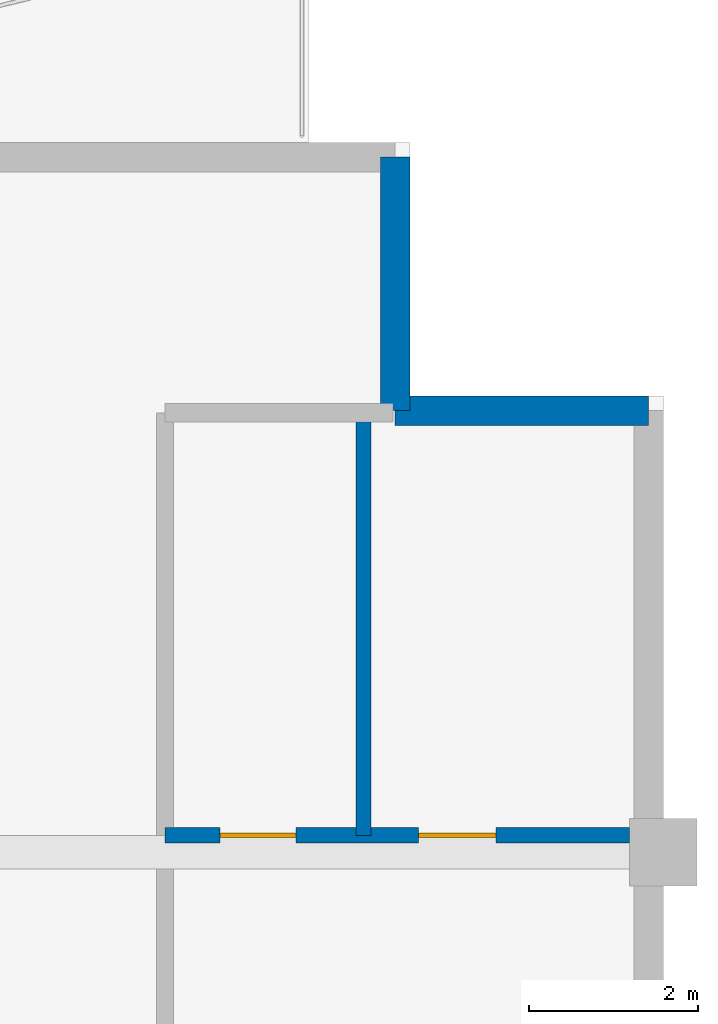
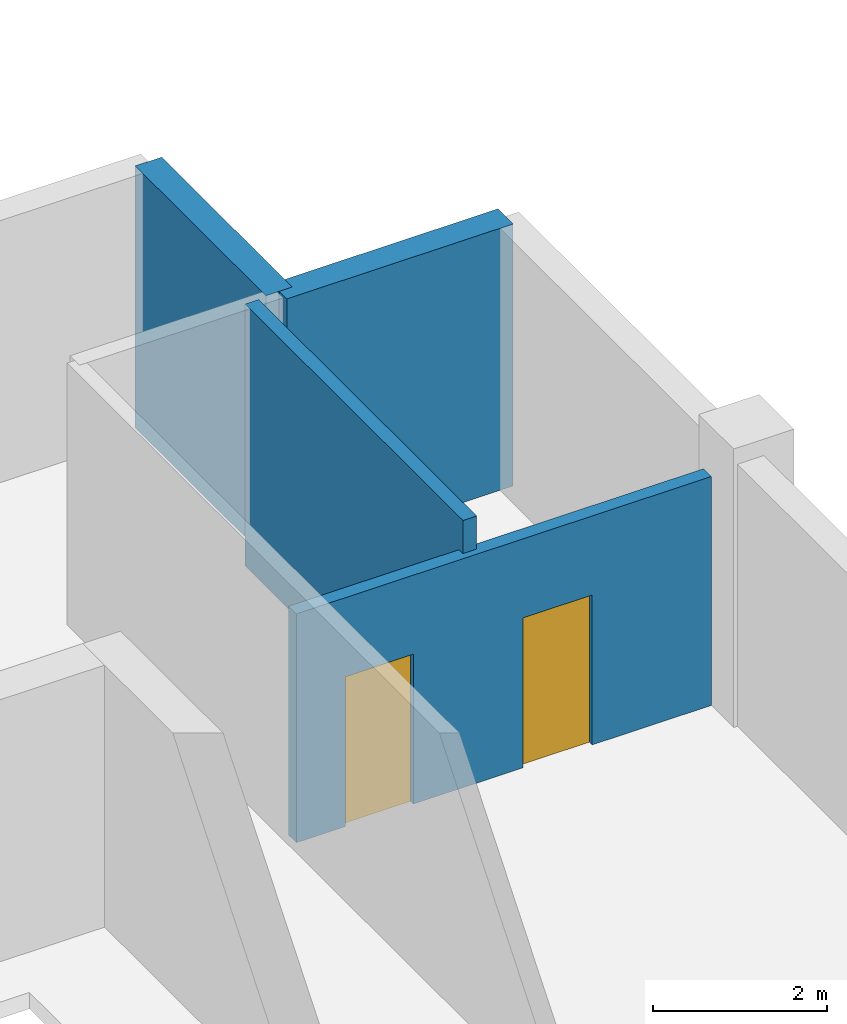
# One storey, part 5 of 11: 4 walls, 2 doors, 2 openings.
"""IFC4 building model written with IfcOpenShell, lengths in metres."""

from ifc_helpers import new_model, si_unit, direction, frame, frame_2d, origin, place, context, subcontext, project, spatial, rectangle, extrude, material, layer, layer_set, type_object, element, fill, save


model = new_model("IFC4")

# Units and contexts
model_context = context("Model", 3, precision=1e-05, world=origin(), true_north=direction((0.0, 1.0)))
body_context = subcontext(model_context, "Body", "Model", "MODEL_VIEW")
ifc_project = project(units=[si_unit("LENGTHUNIT", "METRE"), si_unit("AREAUNIT", "SQUARE_METRE"), si_unit("VOLUMEUNIT", "CUBIC_METRE"), si_unit("PLANEANGLEUNIT", "RADIAN"), si_unit("MASSUNIT", "GRAM", prefix="KILO")], contexts=[model_context])

# Site, building, storey
site_placement = place(None, origin())
site = spatial("IfcSite", under=ifc_project, at=site_placement, CompositionType="ELEMENT")
building_placement = place(site_placement, origin())
building = spatial("IfcBuilding", under=site, at=building_placement, Name="Koriwani Terraces Tower", CompositionType="ELEMENT")
storey_placement = place(building_placement, frame((0.0, 0.0, 335.89990234375)))
storey = spatial("IfcBuildingStorey", under=building, at=storey_placement, Name="L83", CompositionType="ELEMENT", Elevation=335.89990234375)

# Walls
ifc_material_1 = material(Name="Concrete C50/60", Category="concrete")
ifc_layer_1 = layer(ifc_material_1, 0.35009765625, Name="Concrete C50/60")
ifc_layer_set_1 = layer_set([ifc_layer_1], Name="Concrete C50/60")
wall_type_1 = type_object("IfcWallType", Name="WALL_EXT_BRUTALIST_350", PredefinedType="STANDARD", material=ifc_layer_set_1)
for number, where, z_axis, x_axis, name in (
    (1, (64.02490234375, 33.425048828125, 0.0), (0.0, 0.0, 1.0), (0.0, -1.0, 0.0), "L83 Fair-Faced Brutalist Exterior Wall (N10)"),
    (2, (64.02490234375, 30.425048828125, 0.0), (0.0, 0.0, 1.0), (1.0, 0.0, 0.0), "L83 Fair-Faced Brutalist Exterior Wall (N11)"),
):
    element("IfcWall", number, at=place(storey_placement, frame(where, z_axis=z_axis, x_axis=x_axis)), inside=storey, type_object=wall_type_1, Name=name, PredefinedType="STANDARD", context=body_context, shape_type="SweptSolid", body=[
        extrude(rectangle(XDim=3.0, YDim=0.35009765625, at=frame_2d((1.5, 0.0))), origin(), (0.0, 0.0, 1.0), 3.670166015625),
    ])

# Wall, openings, doors
ifc_material_2 = material(Name="Fire-Rated Acoustic Gypsum Partition", Category="masonry")
ifc_layer_2 = layer(ifc_material_2, 0.179931640625, Name="Fire-Rated Acoustic Gypsum Partition")
ifc_layer_set_2 = layer_set([ifc_layer_2], Name="Fire-Rated Acoustic Gypsum Partition")
wall_type_2 = type_object("IfcWallType", Name="WALL_PLUMBING_180", PredefinedType="PLUMBINGWALL", material=ifc_layer_set_2)
wall_1_placement = place(storey_placement, frame((61.300048828125, 25.39990234375, 0.0), z_axis=(0.0, 0.0, 1.0), x_axis=(1.0, 0.0, 0.0)))
wall_1 = element("IfcWall", 3, at=wall_1_placement, inside=storey, type_object=wall_type_2, Name="L83 Interior Wall WET-SVB-L83", PredefinedType="PLUMBINGWALL", context=body_context, shape_type="SweptSolid", body=[
    extrude(rectangle(XDim=5.5, YDim=0.179931640625, at=frame_2d((2.75, 0.0))), origin(), (0.0, 0.0, 1.0), 3.20703125),
])
opening_1_placement = place(wall_1_placement, frame((0.64990234375, 0.0, 0.0)))
opening_1 = element("IfcOpeningElement", 4, at=opening_1_placement, cuts=wall_1, Name="Opening D-07", PredefinedType="OPENING", context=body_context, shape_type="SweptSolid", body=[
    extrude(rectangle(XDim=0.89990234375, YDim=2.10009765625, at=frame_2d((0.449951171875, 1.050048828125))), frame((0.0, 0.10009765625, 0.0), z_axis=(0.0, -1.0, 0.0), x_axis=(1.0, 0.0, 0.0)), (0.0, 0.0, 1.0), 0.199951171875),
])
opening_2_placement = place(wall_1_placement, frame((3.0, 0.0, 0.0)))
opening_2 = element("IfcOpeningElement", 5, at=opening_2_placement, cuts=wall_1, Name="Opening D-06", PredefinedType="OPENING", context=body_context, shape_type="SweptSolid", body=[
    extrude(rectangle(XDim=0.919921875, YDim=2.10009765625, at=frame_2d((0.4599609375, 1.050048828125))), frame((0.0, 0.10009765625, 0.0), z_axis=(0.0, -1.0, 0.0), x_axis=(1.0, 0.0, 0.0)), (0.0, 0.0, 1.0), 0.199951171875),
])
ifc_material_3 = material(Name="Architectural Oak Fire Door", Category="wood")
door_type_1 = type_object("IfcDoorType", Name="DOOR_BATH_INT_900X2100", OperationType="NOTDEFINED", PredefinedType="DOOR", material=ifc_material_3)
door_1_placement = place(opening_1_placement, origin())
door_1 = element("IfcDoor", 6, at=door_1_placement, inside=storey, type_object=door_type_1, Name="Apartment 83ET Bathroom Door", OperationType="SINGLE_SWING_RIGHT", OverallHeight=2.10009765625, OverallWidth=0.89990234375, PredefinedType="DOOR", context=body_context, shape_type="SweptSolid", body=[
    extrude(rectangle(XDim=0.89990234375, YDim=2.10009765625, at=frame_2d((0.449951171875, 1.050048828125))), frame((0.0, 0.02490234375, 0.0), z_axis=(0.0, -1.0, 0.0), x_axis=(1.0, 0.0, 0.0)), (0.0, 0.0, 1.0), 0.050048828125),
])
fill(opening_1, door_1)
door_type_2 = type_object("IfcDoorType", Name="DOOR_ROOM_INT_920X2100", OperationType="NOTDEFINED", PredefinedType="DOOR", material=ifc_material_3)
door_2_placement = place(opening_2_placement, origin())
door_2 = element("IfcDoor", 7, at=door_2_placement, inside=storey, type_object=door_type_2, Name="Apartment 83ET Kitchen Door", OperationType="SINGLE_SWING_LEFT", OverallHeight=2.10009765625, OverallWidth=0.919921875, PredefinedType="DOOR", context=body_context, shape_type="SweptSolid", body=[
    extrude(rectangle(XDim=0.919921875, YDim=2.10009765625, at=frame_2d((0.4599609375, 1.050048828125))), frame((0.0, 0.02490234375, 0.0), z_axis=(0.0, -1.0, 0.0), x_axis=(1.0, 0.0, 0.0)), (0.0, 0.0, 1.0), 0.050048828125),
])
fill(opening_2, door_2)

# Wall
wall_2_placement = place(storey_placement, frame((63.64990234375, 25.39990234375, 0.0), z_axis=(0.0, 0.0, 1.0), x_axis=(0.0, 1.0, 0.0)))
element("IfcWall", 8, at=wall_2_placement, inside=storey, type_object=wall_type_2, Name="L83 Interior Wall WET-SVCM-L83", PredefinedType="PLUMBINGWALL", context=body_context, shape_type="SweptSolid", body=[
    extrude(rectangle(XDim=5.0, YDim=0.179931640625, at=frame_2d((2.5, 0.0))), origin(), (0.0, 0.0, 1.0), 3.670166015625),
])

save(model, "model.ifc")
